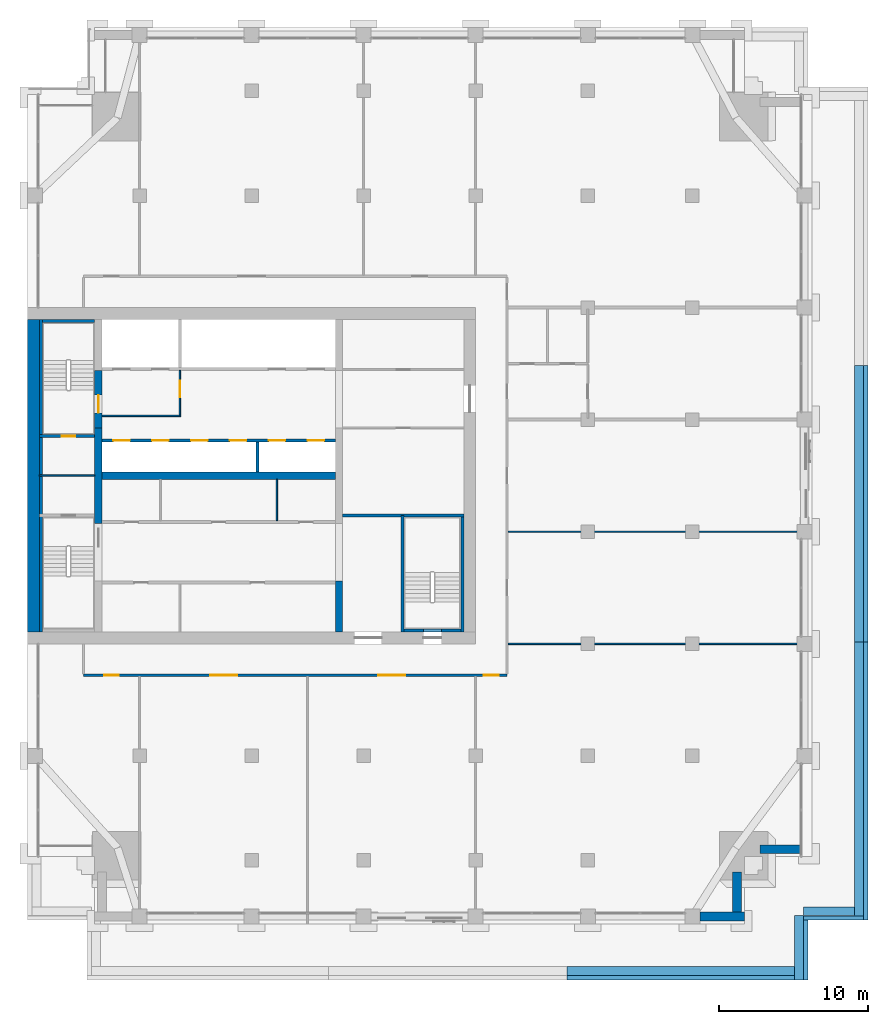
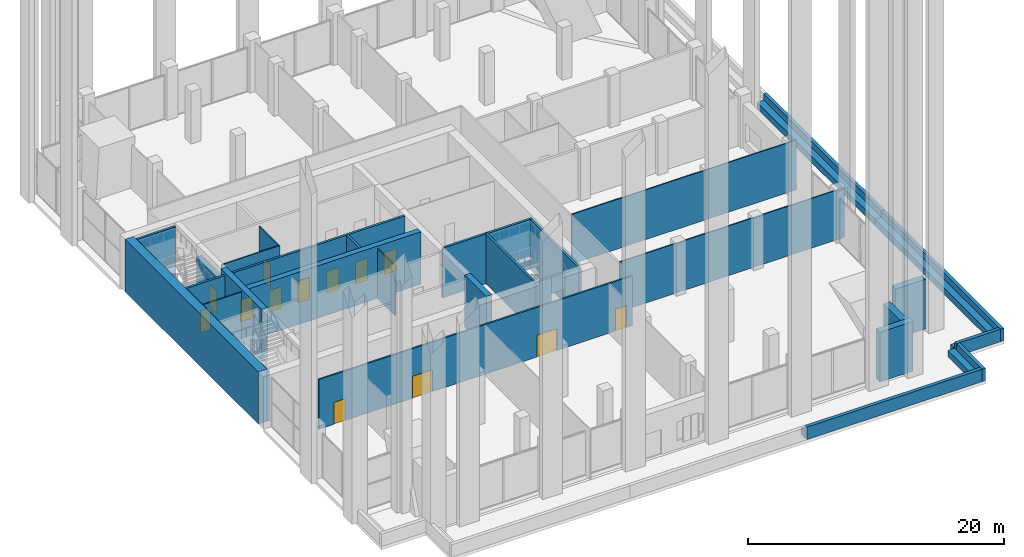
# One storey, part 11 of 19: 36 walls, 13 doors, 13 openings.
"""IFC4 building model written with IfcOpenShell, lengths in metres."""

from ifc_helpers import new_model, si_unit, direction, frame, frame_2d, origin, place, context, subcontext, project, spatial, rectangle, extrude, material, layer, layer_set, type_object, element, fill, save


model = new_model("IFC4")

# Units and contexts
model_context = context("Model", 3, precision=1e-05, world=origin(), true_north=direction((0.0, 1.0)))
body_context = subcontext(model_context, "Body", "Model", "MODEL_VIEW")
ifc_project = project(units=[si_unit("LENGTHUNIT", "METRE"), si_unit("AREAUNIT", "SQUARE_METRE"), si_unit("VOLUMEUNIT", "CUBIC_METRE"), si_unit("PLANEANGLEUNIT", "RADIAN"), si_unit("MASSUNIT", "GRAM", prefix="KILO")], contexts=[model_context])

# Site, building, storey
site_placement = place(None, origin())
site = spatial("IfcSite", under=ifc_project, at=site_placement, CompositionType="ELEMENT")
building_placement = place(site_placement, origin())
building = spatial("IfcBuilding", under=site, at=building_placement, Name="Tamorin Gate", CompositionType="ELEMENT")
storey_placement = place(building_placement, frame((0.0, 0.0, 174.199951171875)))
storey = spatial("IfcBuildingStorey", under=building, at=storey_placement, Name="L42", CompositionType="ELEMENT", Elevation=174.199951171875)

# Walls
ifc_material_1 = material(Name="Precast concrete C40/50", Category="concrete")
ifc_layer_1 = layer(ifc_material_1, 0.60009765625)
ifc_layer_set_1 = layer_set([ifc_layer_1], Name="Precast concrete C40/50")
wall_type_1 = type_object("IfcWallType", Name="Board-marked concrete facade panel 600", PredefinedType="SOLIDWALL", material=ifc_layer_set_1)
wall_1_placement = place(storey_placement, frame((75.0, 41.75, 0.0), z_axis=(0.0, 0.0, 1.0), x_axis=(1.0, 0.0, 0.0)))
element("IfcWall", 1, at=wall_1_placement, inside=storey, type_object=wall_type_1, Name="Facade panel", PredefinedType="SOLIDWALL", context=body_context, shape_type="SweptSolid", body=[
    extrude(rectangle(XDim=3.0, YDim=0.60009765625, at=frame_2d((1.5, 0.0))), origin(), (0.0, 0.0, 1.0), 4.75),
])
wall_2_placement = place(storey_placement, frame((77.5, 42.050048828125, 0.0), z_axis=(0.0, 0.0, 1.0), x_axis=(0.0, 1.0, 0.0)))
element("IfcWall", 2, at=wall_2_placement, inside=storey, type_object=wall_type_1, Name="Facade panel", PredefinedType="SOLIDWALL", context=body_context, shape_type="SweptSolid", body=[
    extrude(rectangle(XDim=2.668701171875, YDim=0.60009765625, at=frame_2d((1.33447265625, 0.0))), origin(), (0.0, 0.0, 1.0), 4.75),
])
wall_3_placement = place(storey_placement, frame((79.03125, 46.25, 0.0), z_axis=(0.0, 0.0, 1.0), x_axis=(1.0, 0.0, 0.0)))
element("IfcWall", 3, at=wall_3_placement, inside=storey, type_object=wall_type_1, Name="Facade panel", PredefinedType="SOLIDWALL", context=body_context, shape_type="SweptSolid", body=[
    extrude(rectangle(XDim=2.73486328125, YDim=0.60009765625, at=frame_2d((1.367431640625, 0.0))), origin(), (0.0, 0.0, 1.0), 4.75),
])

# Wall, openings, doors
ifc_material_2 = material(Name="Gypsum board partition")
ifc_layer_2 = layer(ifc_material_2, 0.14990234375)
ifc_layer_set_2 = layer_set([ifc_layer_2], Name="Corridor wall 150")
wall_type_2 = type_object("IfcWallType", Name="Corridor wall 150", PredefinedType="PARTITIONING", material=ifc_layer_set_2)
wall_4_placement = place(storey_placement, frame((33.75, 57.89990234375, 0.0), z_axis=(0.0, 0.0, 1.0), x_axis=(1.0, 0.0, 0.0)))
wall_4 = element("IfcWall", 4, at=wall_4_placement, inside=storey, type_object=wall_type_2, Name="Corridor wall 150", PredefinedType="PARTITIONING", context=body_context, shape_type="SweptSolid", body=[
    extrude(rectangle(XDim=28.35009765625, YDim=0.14990234375, at=frame_2d((14.175048828125, 0.0))), origin(), (0.0, 0.0, 1.0), 4.75),
])
opening_1_placement = place(wall_4_placement, frame((1.375, 0.0, 0.0)))
opening_1 = element("IfcOpeningElement", 5, at=opening_1_placement, cuts=wall_4, Name="Opening DRS1001", PredefinedType="OPENING", context=body_context, shape_type="SweptSolid", body=[
    extrude(rectangle(XDim=1.0, YDim=2.10009765625, at=frame_2d((0.5, 1.050048828125))), frame((0.0, 0.0849609375, 0.0), z_axis=(0.0, -1.0, 0.0), x_axis=(1.0, 0.0, 0.0)), (0.0, 0.0, 1.0), 0.169921875),
])
opening_2_placement = place(wall_4_placement, frame((8.47509765625, 0.0, 0.0)))
opening_2 = element("IfcOpeningElement", 6, at=opening_2_placement, cuts=wall_4, Name="Opening DRS1002", PredefinedType="OPENING", context=body_context, shape_type="SweptSolid", body=[
    extrude(rectangle(XDim=1.800048828125, YDim=2.10009765625, at=frame_2d((0.89990234375, 1.050048828125))), frame((0.0, 0.0849609375, 0.0), z_axis=(0.0, -1.0, 0.0), x_axis=(1.0, 0.0, 0.0)), (0.0, 0.0, 1.0), 0.169921875),
])
opening_3_placement = place(wall_4_placement, frame((19.72509765625, 0.0, 0.0)))
opening_3 = element("IfcOpeningElement", 7, at=opening_3_placement, cuts=wall_4, Name="Opening DRS1003", PredefinedType="OPENING", context=body_context, shape_type="SweptSolid", body=[
    extrude(rectangle(XDim=1.800048828125, YDim=2.10009765625, at=frame_2d((0.89990234375, 1.050048828125))), frame((0.0, 0.0849609375, 0.0), z_axis=(0.0, -1.0, 0.0), x_axis=(1.0, 0.0, 0.0)), (0.0, 0.0, 1.0), 0.169921875),
])
opening_4_placement = place(wall_4_placement, frame((26.800048828125, 0.0, 0.0)))
opening_4 = element("IfcOpeningElement", 8, at=opening_4_placement, cuts=wall_4, Name="Opening DRS1004", PredefinedType="OPENING", context=body_context, shape_type="SweptSolid", body=[
    extrude(rectangle(XDim=1.0, YDim=2.10009765625, at=frame_2d((0.5, 1.050048828125))), frame((0.0, 0.0849609375, 0.0), z_axis=(0.0, -1.0, 0.0), x_axis=(1.0, 0.0, 0.0)), (0.0, 0.0, 1.0), 0.169921875),
])
ifc_material_3 = material(Name="Timber door leaf", Category="wood")
door_type_1 = type_object("IfcDoorType", Name="Door 1000 x 2100 FD30S", OperationType="NOTDEFINED", PredefinedType="DOOR", material=ifc_material_3)
door_1_placement = place(opening_1_placement, origin())
door_1 = element("IfcDoor", 9, at=door_1_placement, inside=storey, type_object=door_type_1, Name="Door DRS1001", OperationType="SINGLE_SWING_RIGHT", OverallHeight=2.10009765625, OverallWidth=1.0, PredefinedType="DOOR", context=body_context, shape_type="SweptSolid", body=[
    extrude(rectangle(XDim=1.0, YDim=2.10009765625, at=frame_2d((0.5, 1.050048828125))), frame((0.0, 0.02490234375, 0.0), z_axis=(0.0, -1.0, 0.0), x_axis=(1.0, 0.0, 0.0)), (0.0, 0.0, 1.0), 0.050048828125),
])
fill(opening_1, door_1)
door_2_placement = place(opening_4_placement, origin())
door_2 = element("IfcDoor", 10, at=door_2_placement, inside=storey, type_object=door_type_1, Name="Door DRS1004", OperationType="SINGLE_SWING_RIGHT", OverallHeight=2.10009765625, OverallWidth=1.0, PredefinedType="DOOR", context=body_context, shape_type="SweptSolid", body=[
    extrude(rectangle(XDim=1.0, YDim=2.10009765625, at=frame_2d((0.5, 1.050048828125))), frame((0.0, 0.02490234375, 0.0), z_axis=(0.0, -1.0, 0.0), x_axis=(1.0, 0.0, 0.0)), (0.0, 0.0, 1.0), 0.050048828125),
])
fill(opening_4, door_2)
door_type_2 = type_object("IfcDoorType", Name="Door 1800 x 2100 FD30S", OperationType="DOUBLE_DOOR_SINGLE_SWING", PredefinedType="DOOR", material=ifc_material_3)
door_3_placement = place(opening_2_placement, origin())
door_3 = element("IfcDoor", 11, at=door_3_placement, inside=storey, type_object=door_type_2, Name="Door DRS1002", OperationType="DOUBLE_DOOR_SINGLE_SWING", OverallHeight=2.10009765625, OverallWidth=1.800048828125, PredefinedType="DOOR", context=body_context, shape_type="SweptSolid", body=[
    extrude(rectangle(XDim=1.800048828125, YDim=2.10009765625, at=frame_2d((0.89990234375, 1.050048828125))), frame((0.0, 0.02490234375, 0.0), z_axis=(0.0, -1.0, 0.0), x_axis=(1.0, 0.0, 0.0)), (0.0, 0.0, 1.0), 0.050048828125),
])
fill(opening_2, door_3)
door_4_placement = place(opening_3_placement, origin())
door_4 = element("IfcDoor", 12, at=door_4_placement, inside=storey, type_object=door_type_2, Name="Door DRS1003", OperationType="DOUBLE_DOOR_SINGLE_SWING", OverallHeight=2.10009765625, OverallWidth=1.800048828125, PredefinedType="DOOR", context=body_context, shape_type="SweptSolid", body=[
    extrude(rectangle(XDim=1.800048828125, YDim=2.10009765625, at=frame_2d((0.89990234375, 1.050048828125))), frame((0.0, 0.02490234375, 0.0), z_axis=(0.0, -1.0, 0.0), x_axis=(1.0, 0.0, 0.0)), (0.0, 0.0, 1.0), 0.050048828125),
])
fill(opening_3, door_4)

ifc_material_4 = material(Name="Concrete C32/40", Category="concrete")
ifc_layer_3 = layer(ifc_material_4, 0.199951171875)
ifc_layer_set_3 = layer_set([ifc_layer_3], Name="Lift lobby face wall 200 EI 120")
wall_type_3 = type_object("IfcWallType", Name="Lift lobby face wall 200 EI 120", PredefinedType="SOLIDWALL", material=ifc_layer_set_3)
wall_5_placement = place(storey_placement, frame((35.0, 73.60009765625, 0.0), z_axis=(0.0, 0.0, 1.0), x_axis=(1.0, 0.0, 0.0)))
wall_5 = element("IfcWall", 13, at=wall_5_placement, inside=storey, type_object=wall_type_3, Name="Lift lobby face wall", PredefinedType="SOLIDWALL", context=body_context, shape_type="SweptSolid", body=[
    extrude(rectangle(XDim=15.60009765625, YDim=0.199951171875, at=frame_2d((7.800048828125, 0.0))), origin(), (0.0, 0.0, 1.0), 5.0),
])
opening_5_placement = place(wall_5_placement, frame((0.75, 0.0, 0.0)))
opening_5 = element("IfcOpeningElement", 14, at=opening_5_placement, cuts=wall_5, Name="Opening LD11", PredefinedType="OPENING", context=body_context, shape_type="SweptSolid", body=[
    extrude(rectangle(XDim=1.10009765625, YDim=2.10009765625, at=frame_2d((0.550048828125, 1.050048828125))), frame((0.0, 0.10986328125, 0.0), z_axis=(0.0, -1.0, 0.0), x_axis=(1.0, 0.0, 0.0)), (0.0, 0.0, 1.0), 0.219970703125),
])
opening_6_placement = place(wall_5_placement, frame((3.35009765625, 0.0, 0.0)))
opening_6 = element("IfcOpeningElement", 15, at=opening_6_placement, cuts=wall_5, Name="Opening LD12", PredefinedType="OPENING", context=body_context, shape_type="SweptSolid", body=[
    extrude(rectangle(XDim=1.10009765625, YDim=2.10009765625, at=frame_2d((0.550048828125, 1.050048828125))), frame((0.0, 0.10986328125, 0.0), z_axis=(0.0, -1.0, 0.0), x_axis=(1.0, 0.0, 0.0)), (0.0, 0.0, 1.0), 0.219970703125),
])
opening_7_placement = place(wall_5_placement, frame((5.949951171875, 0.0, 0.0)))
opening_7 = element("IfcOpeningElement", 16, at=opening_7_placement, cuts=wall_5, Name="Opening LD13", PredefinedType="OPENING", context=body_context, shape_type="SweptSolid", body=[
    extrude(rectangle(XDim=1.10009765625, YDim=2.10009765625, at=frame_2d((0.550048828125, 1.050048828125))), frame((0.0, 0.10986328125, 0.0), z_axis=(0.0, -1.0, 0.0), x_axis=(1.0, 0.0, 0.0)), (0.0, 0.0, 1.0), 0.219970703125),
])
opening_8_placement = place(wall_5_placement, frame((8.550048828125, 0.0, 0.0)))
opening_8 = element("IfcOpeningElement", 17, at=opening_8_placement, cuts=wall_5, Name="Opening LD14", PredefinedType="OPENING", context=body_context, shape_type="SweptSolid", body=[
    extrude(rectangle(XDim=1.10009765625, YDim=2.10009765625, at=frame_2d((0.550048828125, 1.050048828125))), frame((0.0, 0.10986328125, 0.0), z_axis=(0.0, -1.0, 0.0), x_axis=(1.0, 0.0, 0.0)), (0.0, 0.0, 1.0), 0.219970703125),
])
opening_9_placement = place(wall_5_placement, frame((11.14990234375, 0.0, 0.0)))
opening_9 = element("IfcOpeningElement", 18, at=opening_9_placement, cuts=wall_5, Name="Opening LD15", PredefinedType="OPENING", context=body_context, shape_type="SweptSolid", body=[
    extrude(rectangle(XDim=1.10009765625, YDim=2.10009765625, at=frame_2d((0.550048828125, 1.050048828125))), frame((0.0, 0.10986328125, 0.0), z_axis=(0.0, -1.0, 0.0), x_axis=(1.0, 0.0, 0.0)), (0.0, 0.0, 1.0), 0.219970703125),
])
opening_10_placement = place(wall_5_placement, frame((13.75, 0.0, 0.0)))
opening_10 = element("IfcOpeningElement", 19, at=opening_10_placement, cuts=wall_5, Name="Opening LD16", PredefinedType="OPENING", context=body_context, shape_type="SweptSolid", body=[
    extrude(rectangle(XDim=1.10009765625, YDim=2.10009765625, at=frame_2d((0.550048828125, 1.050048828125))), frame((0.0, 0.10986328125, 0.0), z_axis=(0.0, -1.0, 0.0), x_axis=(1.0, 0.0, 0.0)), (0.0, 0.0, 1.0), 0.219970703125),
])
ifc_material_5 = material(Name="Stainless steel sliding door", Category="steel")
door_type_3 = type_object("IfcDoorType", Name="Lift landing door 1100 x 2100 E 90", OperationType="DOUBLE_DOOR_SLIDING", PredefinedType="DOOR", material=ifc_material_5)
door_5_placement = place(opening_5_placement, origin())
door_5 = element("IfcDoor", 20, at=door_5_placement, inside=storey, type_object=door_type_3, Name="HR1 landing door", OperationType="DOUBLE_DOOR_SLIDING", OverallHeight=2.10009765625, OverallWidth=1.10009765625, PredefinedType="DOOR", context=body_context, shape_type="SweptSolid", body=[
    extrude(rectangle(XDim=1.10009765625, YDim=2.10009765625, at=frame_2d((0.550048828125, 1.050048828125))), frame((0.0, 0.02490234375, 0.0), z_axis=(0.0, -1.0, 0.0), x_axis=(1.0, 0.0, 0.0)), (0.0, 0.0, 1.0), 0.050048828125),
])
fill(opening_5, door_5)
door_6_placement = place(opening_6_placement, origin())
door_6 = element("IfcDoor", 21, at=door_6_placement, inside=storey, type_object=door_type_3, Name="HR2 landing door", OperationType="DOUBLE_DOOR_SLIDING", OverallHeight=2.10009765625, OverallWidth=1.10009765625, PredefinedType="DOOR", context=body_context, shape_type="SweptSolid", body=[
    extrude(rectangle(XDim=1.10009765625, YDim=2.10009765625, at=frame_2d((0.550048828125, 1.050048828125))), frame((0.0, 0.02490234375, 0.0), z_axis=(0.0, -1.0, 0.0), x_axis=(1.0, 0.0, 0.0)), (0.0, 0.0, 1.0), 0.050048828125),
])
fill(opening_6, door_6)
door_7_placement = place(opening_7_placement, origin())
door_7 = element("IfcDoor", 22, at=door_7_placement, inside=storey, type_object=door_type_3, Name="HR3 landing door", OperationType="DOUBLE_DOOR_SLIDING", OverallHeight=2.10009765625, OverallWidth=1.10009765625, PredefinedType="DOOR", context=body_context, shape_type="SweptSolid", body=[
    extrude(rectangle(XDim=1.10009765625, YDim=2.10009765625, at=frame_2d((0.550048828125, 1.050048828125))), frame((0.0, 0.02490234375, 0.0), z_axis=(0.0, -1.0, 0.0), x_axis=(1.0, 0.0, 0.0)), (0.0, 0.0, 1.0), 0.050048828125),
])
fill(opening_7, door_7)
door_8_placement = place(opening_8_placement, origin())
door_8 = element("IfcDoor", 23, at=door_8_placement, inside=storey, type_object=door_type_3, Name="HR4 landing door", OperationType="DOUBLE_DOOR_SLIDING", OverallHeight=2.10009765625, OverallWidth=1.10009765625, PredefinedType="DOOR", context=body_context, shape_type="SweptSolid", body=[
    extrude(rectangle(XDim=1.10009765625, YDim=2.10009765625, at=frame_2d((0.550048828125, 1.050048828125))), frame((0.0, 0.02490234375, 0.0), z_axis=(0.0, -1.0, 0.0), x_axis=(1.0, 0.0, 0.0)), (0.0, 0.0, 1.0), 0.050048828125),
])
fill(opening_8, door_8)
door_9_placement = place(opening_9_placement, origin())
door_9 = element("IfcDoor", 24, at=door_9_placement, inside=storey, type_object=door_type_3, Name="HR5 landing door", OperationType="DOUBLE_DOOR_SLIDING", OverallHeight=2.10009765625, OverallWidth=1.10009765625, PredefinedType="DOOR", context=body_context, shape_type="SweptSolid", body=[
    extrude(rectangle(XDim=1.10009765625, YDim=2.10009765625, at=frame_2d((0.550048828125, 1.050048828125))), frame((0.0, 0.02490234375, 0.0), z_axis=(0.0, -1.0, 0.0), x_axis=(1.0, 0.0, 0.0)), (0.0, 0.0, 1.0), 0.050048828125),
])
fill(opening_9, door_9)
door_10_placement = place(opening_10_placement, origin())
door_10 = element("IfcDoor", 25, at=door_10_placement, inside=storey, type_object=door_type_3, Name="HR6 landing door", OperationType="DOUBLE_DOOR_SLIDING", OverallHeight=2.10009765625, OverallWidth=1.10009765625, PredefinedType="DOOR", context=body_context, shape_type="SweptSolid", body=[
    extrude(rectangle(XDim=1.10009765625, YDim=2.10009765625, at=frame_2d((0.550048828125, 1.050048828125))), frame((0.0, 0.02490234375, 0.0), z_axis=(0.0, -1.0, 0.0), x_axis=(1.0, 0.0, 0.0)), (0.0, 0.0, 1.0), 0.050048828125),
])
fill(opening_10, door_10)

# Walls
ifc_layer_4 = layer(ifc_material_4, 0.199951171875)
ifc_layer_set_4 = layer_set([ifc_layer_4], Name="Lift shaft wall 200 EI 120")
wall_type_4 = type_object("IfcWallType", Name="Lift shaft wall 200 EI 120", PredefinedType="SOLIDWALL", material=ifc_layer_set_4)
wall_6_placement = place(storey_placement, frame((45.39990234375, 71.5, 0.0), z_axis=(0.0, 0.0, 1.0), x_axis=(0.0, 1.0, 0.0)))
element("IfcWall", 26, at=wall_6_placement, inside=storey, type_object=wall_type_4, Name="Lift shaft wall", PredefinedType="SOLIDWALL", context=body_context, shape_type="SweptSolid", body=[
    extrude(rectangle(XDim=2.0, YDim=0.199951171875, at=frame_2d((1.0, 0.0))), origin(), (0.0, 0.0, 1.0), 5.0),
])
ifc_material_6 = material(Name="Fire-rated gypsum board partition")
ifc_layer_5 = layer(ifc_material_6, 0.10009765625)
ifc_layer_set_5 = layer_set([ifc_layer_5], Name="Lobby wall 100 EI 60")
wall_type_5 = type_object("IfcWallType", Name="Lobby wall 100 EI 60", PredefinedType="PARTITIONING", material=ifc_layer_set_5)
wall_7_placement = place(storey_placement, frame((35.0, 75.25, 0.0), z_axis=(0.0, 0.0, 1.0), x_axis=(1.0, 0.0, 0.0)))
element("IfcWall", 27, at=wall_7_placement, inside=storey, type_object=wall_type_5, Name="Firefighting lobby wall", PredefinedType="PARTITIONING", context=body_context, shape_type="SweptSolid", body=[
    extrude(rectangle(XDim=5.25, YDim=0.10009765625, at=frame_2d((2.625, 0.0))), origin(), (0.0, 0.0, 1.0), 4.75),
])

# Wall, opening, door
wall_8_placement = place(storey_placement, frame((40.199951171875, 75.300048828125, 0.0), z_axis=(0.0, 0.0, 1.0), x_axis=(0.0, 1.0, 0.0)))
wall_8 = element("IfcWall", 28, at=wall_8_placement, inside=storey, type_object=wall_type_5, Name="Firefighting lobby wall", PredefinedType="PARTITIONING", context=body_context, shape_type="SweptSolid", body=[
    extrude(rectangle(XDim=3.0, YDim=0.10009765625, at=frame_2d((1.5, 0.0))), origin(), (0.0, 0.0, 1.0), 4.75),
])
opening_11_placement = place(wall_8_placement, frame((1.199951171875, 0.0, 0.0)))
opening_11 = element("IfcOpeningElement", 29, at=opening_11_placement, cuts=wall_8, Name="Opening DF1", PredefinedType="OPENING", context=body_context, shape_type="SweptSolid", body=[
    extrude(rectangle(XDim=1.10009765625, YDim=2.10009765625, at=frame_2d((0.550048828125, 1.050048828125))), frame((0.0, 0.06005859375, 0.0), z_axis=(0.0, -1.0, 0.0), x_axis=(1.0, 0.0, 0.0)), (0.0, 0.0, 1.0), 0.1201171875),
])
ifc_material_7 = material(Name="Steel fire door", Category="steel")
door_type_4 = type_object("IfcDoorType", Name="Firefighting lobby door 1100 x 2100 EI 90", OperationType="SINGLE_SWING_LEFT", PredefinedType="DOOR", material=ifc_material_7)
door_11_placement = place(opening_11_placement, origin())
door_11 = element("IfcDoor", 30, at=door_11_placement, inside=storey, type_object=door_type_4, Name="Firefighting lobby door", OperationType="SINGLE_SWING_LEFT", OverallHeight=2.10009765625, OverallWidth=1.10009765625, PredefinedType="DOOR", context=body_context, shape_type="SweptSolid", body=[
    extrude(rectangle(XDim=1.10009765625, YDim=2.10009765625, at=frame_2d((0.550048828125, 1.050048828125))), frame((0.0, 0.02490234375, 0.0), z_axis=(0.0, -1.0, 0.0), x_axis=(1.0, 0.0, 0.0)), (0.0, 0.0, 1.0), 0.050048828125),
])
fill(opening_11, door_11)

# Walls
ifc_material_8 = material(Name="Concrete C60/75", Category="concrete")
ifc_layer_6 = layer(ifc_material_8, 0.5)
ifc_layer_set_6 = layer_set([ifc_layer_6], Name="RC core internal wall 500 C60/75")
wall_type_6 = type_object("IfcWallType", Name="RC core internal wall 500 C60/75", PredefinedType="SHEAR", material=ifc_layer_set_6)
wall_9_placement = place(storey_placement, frame((35.0, 71.25, 0.0), z_axis=(0.0, 0.0, 1.0), x_axis=(1.0, 0.0, 0.0)))
element("IfcWall", 31, at=wall_9_placement, inside=storey, type_object=wall_type_6, Name="Core spine wall L42", PredefinedType="SHEAR", context=body_context, shape_type="SweptSolid", body=[
    extrude(rectangle(XDim=15.60009765625, YDim=0.5, at=frame_2d((7.800048828125, 0.0))), origin(), (0.0, 0.0, 1.0), 5.0),
])
wall_10_placement = place(storey_placement, frame((34.75, 68.050048828125, 0.0), z_axis=(0.0, 0.0, 1.0), x_axis=(0.0, 1.0, 0.0)))
element("IfcWall", 32, at=wall_10_placement, inside=storey, type_object=wall_type_6, Name="Core cross wall L42", PredefinedType="SHEAR", context=body_context, shape_type="SweptSolid", body=[
    extrude(rectangle(XDim=6.39990234375, YDim=0.5, at=frame_2d((3.199951171875, 0.0))), origin(), (0.0, 0.0, 1.0), 5.0),
])
wall_11_placement = place(storey_placement, frame((50.85009765625, 60.800048828125, 0.0), z_axis=(0.0, 0.0, 1.0), x_axis=(0.0, 1.0, 0.0)))
element("IfcWall", 33, at=wall_11_placement, inside=storey, type_object=wall_type_6, Name="Core cross wall L42", PredefinedType="SHEAR", context=body_context, shape_type="SweptSolid", body=[
    extrude(rectangle(XDim=3.39990234375, YDim=0.5, at=frame_2d((1.699951171875, 0.0))), origin(), (0.0, 0.0, 1.0), 5.0),
])
ifc_layer_7 = layer(ifc_material_8, 0.800048828125)
ifc_layer_set_7 = layer_set([ifc_layer_7], Name="RC core wall 800 C60/75")
wall_type_7 = type_object("IfcWallType", Name="RC core wall 800 C60/75", PredefinedType="SHEAR", material=ifc_layer_set_7)
wall_12_placement = place(storey_placement, frame((30.39990234375, 60.800048828125, 0.0), z_axis=(0.0, 0.0, 1.0), x_axis=(0.0, 1.0, 0.0)))
element("IfcWall", 34, at=wall_12_placement, inside=storey, type_object=wall_type_7, Name="Core wall L42", PredefinedType="SHEAR", context=body_context, shape_type="SweptSolid", body=[
    extrude(rectangle(XDim=20.89990234375, YDim=0.800048828125, at=frame_2d((10.449951171875, 0.0))), origin(), (0.0, 0.0, 1.0), 5.0),
])
ifc_layer_8 = layer(ifc_material_6, 0.10009765625)
ifc_layer_set_8 = layer_set([ifc_layer_8], Name="Riser partition 100 EI 120")
wall_type_8 = type_object("IfcWallType", Name="Riser partition 100 EI 120", PredefinedType="PARTITIONING", material=ifc_layer_set_8)
wall_13_placement = place(storey_placement, frame((30.800048828125, 71.25, 0.0), z_axis=(0.0, 0.0, 1.0), x_axis=(1.0, 0.0, 0.0)))
element("IfcWall", 35, at=wall_13_placement, inside=storey, type_object=wall_type_8, Name="Riser partition", PredefinedType="PARTITIONING", context=body_context, shape_type="SweptSolid", body=[
    extrude(rectangle(XDim=3.699951171875, YDim=0.10009765625, at=frame_2d((1.85009765625, 0.0))), origin(), (0.0, 0.0, 1.0), 4.75),
])
ifc_layer_9 = layer(ifc_material_2, 0.10009765625)
ifc_layer_set_9 = layer_set([ifc_layer_9], Name="Room partition 100")
wall_type_9 = type_object("IfcWallType", Name="Room partition 100", PredefinedType="PARTITIONING", material=ifc_layer_set_9)
for number, where, z_axis, x_axis, name in (
    (36, (62.175048828125, 60.0, 0.0), (0.0, 0.0, 1.0), (1.0, 0.0, 0.0), "Room partition 100"),
    (37, (62.175048828125, 67.5, 0.0), (0.0, 0.0, 1.0), (1.0, 0.0, 0.0), "Room partition 100"),
):
    element("IfcWall", number, at=place(storey_placement, frame(where, z_axis=z_axis, x_axis=x_axis)), inside=storey, type_object=wall_type_9, Name=name, PredefinedType="PARTITIONING", context=body_context, shape_type="SweptSolid", body=[
        extrude(rectangle(XDim=20.324951171875, YDim=0.10009765625, at=frame_2d((10.16259765625, 0.0))), origin(), (0.0, 0.0, 1.0), 4.75),
    ])
ifc_layer_10 = layer(ifc_material_2, 0.10009765625)
ifc_layer_set_10 = layer_set([ifc_layer_10], Name="Service room partition 100 EI 60")
wall_type_10 = type_object("IfcWallType", Name="Service room partition 100 EI 60", PredefinedType="PARTITIONING", material=ifc_layer_set_10)
wall_14_placement = place(storey_placement, frame((46.699951171875, 68.25, 0.0), z_axis=(0.0, 0.0, 1.0), x_axis=(0.0, 1.0, 0.0)))
element("IfcWall", 38, at=wall_14_placement, inside=storey, type_object=wall_type_10, Name="Service room partition", PredefinedType="PARTITIONING", context=body_context, shape_type="SweptSolid", body=[
    extrude(rectangle(XDim=2.75, YDim=0.10009765625, at=frame_2d((1.375, 0.0))), origin(), (0.0, 0.0, 1.0), 4.75),
])

# Wall, opening, door
ifc_material_9 = material(Name="Concrete C40/50", Category="concrete")
ifc_layer_11 = layer(ifc_material_9, 0.199951171875)
ifc_layer_set_11 = layer_set([ifc_layer_11], Name="Stair enclosure wall 200 EI 120 C40/50")
wall_type_11 = type_object("IfcWallType", Name="Stair enclosure wall 200 EI 120 C40/50", PredefinedType="SOLIDWALL", material=ifc_layer_set_11)
wall_15_placement = place(storey_placement, frame((30.800048828125, 73.89990234375, 0.0), z_axis=(0.0, 0.0, 1.0), x_axis=(1.0, 0.0, 0.0)))
wall_15 = element("IfcWall", 39, at=wall_15_placement, inside=storey, type_object=wall_type_11, Name="Stair enclosure wall", PredefinedType="SOLIDWALL", context=body_context, shape_type="SweptSolid", body=[
    extrude(rectangle(XDim=3.699951171875, YDim=0.199951171875, at=frame_2d((1.85009765625, 0.0))), origin(), (0.0, 0.0, 1.0), 4.75),
])
opening_12_placement = place(wall_15_placement, frame((1.5, 0.0, 0.0)))
opening_12 = element("IfcOpeningElement", 40, at=opening_12_placement, cuts=wall_15, Name="Opening DR1", PredefinedType="OPENING", context=body_context, shape_type="SweptSolid", body=[
    extrude(rectangle(XDim=0.89990234375, YDim=2.10009765625, at=frame_2d((0.449951171875, 1.050048828125))), frame((0.0, 0.10986328125, 0.0), z_axis=(0.0, -1.0, 0.0), x_axis=(1.0, 0.0, 0.0)), (0.0, 0.0, 1.0), 0.219970703125),
])
door_type_5 = type_object("IfcDoorType", Name="Riser access door 900 x 2100 EI 120", OperationType="SINGLE_SWING_LEFT", PredefinedType="DOOR", material=ifc_material_7)
door_12_placement = place(opening_12_placement, origin())
door_12 = element("IfcDoor", 41, at=door_12_placement, inside=storey, type_object=door_type_5, Name="Communications riser door", OperationType="SINGLE_SWING_RIGHT", OverallHeight=2.10009765625, OverallWidth=0.89990234375, PredefinedType="DOOR", context=body_context, shape_type="SweptSolid", body=[
    extrude(rectangle(XDim=0.89990234375, YDim=2.10009765625, at=frame_2d((0.449951171875, 1.050048828125))), frame((0.0, 0.02490234375, 0.0), z_axis=(0.0, -1.0, 0.0), x_axis=(1.0, 0.0, 0.0)), (0.0, 0.0, 1.0), 0.050048828125),
])
fill(opening_12, door_12)

# Walls
wall_16_placement = place(storey_placement, frame((55.10009765625, 60.800048828125, 0.0), z_axis=(0.0, 0.0, 1.0), x_axis=(0.0, 1.0, 0.0)))
element("IfcWall", 42, at=wall_16_placement, inside=storey, type_object=wall_type_11, Name="Stair enclosure wall", PredefinedType="SOLIDWALL", context=body_context, shape_type="SweptSolid", body=[
    extrude(rectangle(XDim=7.800048828125, YDim=0.199951171875, at=frame_2d((3.89990234375, 0.0))), origin(), (0.0, 0.0, 1.0), 4.75),
])
wall_17_placement = place(storey_placement, frame((51.10009765625, 68.60009765625, 0.0), z_axis=(0.0, 0.0, 1.0), x_axis=(1.0, 0.0, 0.0)))
element("IfcWall", 43, at=wall_17_placement, inside=storey, type_object=wall_type_11, Name="Stair enclosure wall", PredefinedType="SOLIDWALL", context=body_context, shape_type="SweptSolid", body=[
    extrude(rectangle(XDim=8.099853515625, YDim=0.199951171875, at=frame_2d((4.0498046875, 0.0))), origin(), (0.0, 0.0, 1.0), 4.75),
])
ifc_layer_12 = layer(ifc_material_8, 0.199951171875)
ifc_layer_set_12 = layer_set([ifc_layer_12], Name="Stair lining wall 200 EI 120 C60/75")
wall_type_12 = type_object("IfcWallType", Name="Stair lining wall 200 EI 120 C60/75", PredefinedType="SOLIDWALL", material=ifc_layer_set_12)
wall_18_placement = place(storey_placement, frame((30.89990234375, 60.800048828125, 0.0), z_axis=(0.0, 0.0, 1.0), x_axis=(0.0, 1.0, 0.0)))
element("IfcWall", 44, at=wall_18_placement, inside=storey, type_object=wall_type_12, Name="Stair lining wall", PredefinedType="SOLIDWALL", context=body_context, shape_type="SweptSolid", body=[
    extrude(rectangle(XDim=20.89990234375, YDim=0.199951171875, at=frame_2d((10.449951171875, 0.0))), origin(), (0.0, 0.0, 1.0), 4.75),
])
wall_19_placement = place(storey_placement, frame((31.0, 81.60009765625, 0.0), z_axis=(0.0, 0.0, 1.0), x_axis=(1.0, 0.0, 0.0)))
element("IfcWall", 45, at=wall_19_placement, inside=storey, type_object=wall_type_12, Name="Stair lining wall", PredefinedType="SOLIDWALL", context=body_context, shape_type="SweptSolid", body=[
    extrude(rectangle(XDim=3.5, YDim=0.199951171875, at=frame_2d((1.75, 0.0))), origin(), (0.0, 0.0, 1.0), 4.75),
])
for number, where, z_axis, x_axis, name in (
    (46, (55.199951171875, 60.89990234375, 0.0), (0.0, 0.0, 1.0), (1.0, 0.0, 0.0), "Stair lining wall"),
    (47, (57.699951171875, 60.89990234375, 0.0), (0.0, 0.0, 1.0), (1.0, 0.0, 0.0), "Stair lining wall"),
):
    element("IfcWall", number, at=place(storey_placement, frame(where, z_axis=z_axis, x_axis=x_axis)), inside=storey, type_object=wall_type_12, Name=name, PredefinedType="SOLIDWALL", context=body_context, shape_type="SweptSolid", body=[
        extrude(rectangle(XDim=1.300048828125, YDim=0.199951171875, at=frame_2d((0.64990234375, 0.0))), origin(), (0.0, 0.0, 1.0), 4.75),
    ])
wall_20_placement = place(storey_placement, frame((59.10009765625, 60.800048828125, 0.0), z_axis=(0.0, 0.0, 1.0), x_axis=(0.0, 1.0, 0.0)))
element("IfcWall", 48, at=wall_20_placement, inside=storey, type_object=wall_type_12, Name="Stair lining wall", PredefinedType="SOLIDWALL", context=body_context, shape_type="SweptSolid", body=[
    extrude(rectangle(XDim=7.699951171875, YDim=0.199951171875, at=frame_2d((3.85009765625, 0.0))), origin(), (0.0, 0.0, 1.0), 4.75),
])
wall_21_placement = place(storey_placement, frame((56.5, 60.89990234375, 3.199951171875), z_axis=(0.0, 0.0, 1.0), x_axis=(1.0, 0.0, 0.0)))
element("IfcWall", 49, at=wall_21_placement, inside=storey, type_object=wall_type_12, Name="Stair lining wall", PredefinedType="SOLIDWALL", context=body_context, shape_type="SweptSolid", body=[
    extrude(rectangle(XDim=1.199951171875, YDim=0.199951171875, at=frame_2d((0.60009765625, 0.0))), origin(), (0.0, 0.0, 1.0), 1.550048828125),
])

# Wall, opening, door
ifc_layer_13 = layer(ifc_material_4, 0.5)
ifc_layer_set_13 = layer_set([ifc_layer_13], Name="Stair lobby infill wall 500 EI 120")
wall_type_13 = type_object("IfcWallType", Name="Stair lobby infill wall 500 EI 120", PredefinedType="SOLIDWALL", material=ifc_layer_set_13)
wall_22_placement = place(storey_placement, frame((34.75, 74.449951171875, 0.0), z_axis=(0.0, 0.0, 1.0), x_axis=(0.0, 1.0, 0.0)))
wall_22 = element("IfcWall", 50, at=wall_22_placement, inside=storey, type_object=wall_type_13, Name="Stair lobby infill wall", PredefinedType="SOLIDWALL", context=body_context, shape_type="SweptSolid", body=[
    extrude(rectangle(XDim=3.85009765625, YDim=0.5, at=frame_2d((1.925048828125, 0.0))), origin(), (0.0, 0.0, 1.0), 3.800048828125),
])
opening_13_placement = place(wall_22_placement, frame((1.0, 0.0, 0.0)))
opening_13 = element("IfcOpeningElement", 51, at=opening_13_placement, cuts=wall_22, Name="Opening DS1", PredefinedType="OPENING", context=body_context, shape_type="SweptSolid", body=[
    extrude(rectangle(XDim=1.199951171875, YDim=2.10009765625, at=frame_2d((0.60009765625, 1.050048828125))), frame((0.0, 0.260009765625, 0.0), z_axis=(0.0, -1.0, 0.0), x_axis=(1.0, 0.0, 0.0)), (0.0, 0.0, 1.0), 0.52001953125),
])
door_type_6 = type_object("IfcDoorType", Name="Stair door 1200 x 2100 EI 90", OperationType="SINGLE_SWING_LEFT", PredefinedType="DOOR", material=ifc_material_7)
door_13_placement = place(opening_13_placement, origin())
door_13 = element("IfcDoor", 52, at=door_13_placement, inside=storey, type_object=door_type_6, Name="ST2 door", OperationType="SINGLE_SWING_RIGHT", OverallHeight=2.10009765625, OverallWidth=1.199951171875, PredefinedType="DOOR", context=body_context, shape_type="SweptSolid", body=[
    extrude(rectangle(XDim=1.199951171875, YDim=2.10009765625, at=frame_2d((0.60009765625, 1.050048828125))), frame((0.0, 0.02490234375, 0.0), z_axis=(0.0, -1.0, 0.0), x_axis=(1.0, 0.0, 0.0)), (0.0, 0.0, 1.0), 0.050048828125),
])
fill(opening_13, door_13)

# Walls
ifc_layer_14 = layer(ifc_material_1, 0.300048828125)
ifc_layer_set_14 = layer_set([ifc_layer_14], Name="Terrace parapet 300")
wall_type_14 = type_object("IfcWallType", Name="Terrace parapet 300", PredefinedType="PARAPET", material=ifc_layer_set_14)
wall_23_placement = place(storey_placement, frame((86.10009765625, 60.13330078125, 0.0), z_axis=(0.0, 0.0, 1.0), x_axis=(0.0, 1.0, 0.0)))
element("IfcWall", 53, at=wall_23_placement, inside=storey, type_object=wall_type_14, Name="Terrace parapet", PredefinedType="PARAPET", context=body_context, shape_type="SweptSolid", body=[
    extrude(rectangle(XDim=18.4833984375, YDim=0.300048828125, at=frame_2d((9.24169921875, 0.0))), origin(), (0.0, 0.0, 1.0), 1.199951171875),
])
wall_24_placement = place(storey_placement, frame((86.10009765625, 41.5, 0.0), z_axis=(0.0, 0.0, 1.0), x_axis=(0.0, 1.0, 0.0)))
element("IfcWall", 54, at=wall_24_placement, inside=storey, type_object=wall_type_14, Name="Terrace parapet", PredefinedType="PARAPET", context=body_context, shape_type="SweptSolid", body=[
    extrude(rectangle(XDim=18.63330078125, YDim=0.300048828125, at=frame_2d((9.316650390625, 0.0))), origin(), (0.0, 0.0, 1.0), 1.199951171875),
])
for number, where, z_axis, x_axis, name in (
    (55, (81.949951171875, 41.64990234375, 0.0), (0.0, 0.0, 1.0), (1.0, 0.0, 0.0), "Terrace parapet"),
    (56, (82.10009765625, 37.5, 0.0), (0.0, 0.0, 1.0), (0.0, 1.0, 0.0), "Terrace parapet"),
):
    element("IfcWall", number, at=place(storey_placement, frame(where, z_axis=z_axis, x_axis=x_axis)), inside=storey, type_object=wall_type_14, Name=name, PredefinedType="PARAPET", context=body_context, shape_type="SweptSolid", body=[
        extrude(rectangle(XDim=4.0, YDim=0.300048828125, at=frame_2d((2.0, 0.0))), origin(), (0.0, 0.0, 1.0), 1.199951171875),
    ])
wall_25_placement = place(storey_placement, frame((66.11669921875, 37.64990234375, 0.0), z_axis=(0.0, 0.0, 1.0), x_axis=(1.0, 0.0, 0.0)))
element("IfcWall", 57, at=wall_25_placement, inside=storey, type_object=wall_type_14, Name="Terrace parapet", PredefinedType="PARAPET", context=body_context, shape_type="SweptSolid", body=[
    extrude(rectangle(XDim=15.833251953125, YDim=0.300048828125, at=frame_2d((7.91650390625, 0.0))), origin(), (0.0, 0.0, 1.0), 1.199951171875),
])
ifc_layer_15 = layer(ifc_material_1, 0.60009765625)
ifc_layer_set_15 = layer_set([ifc_layer_15], Name="Terrace planter wall 600")
wall_type_15 = type_object("IfcWallType", Name="Terrace planter wall 600", PredefinedType="STANDARD", material=ifc_layer_set_15)
wall_26_placement = place(storey_placement, frame((85.64990234375, 60.13330078125, 0.0), z_axis=(0.0, 0.0, 1.0), x_axis=(0.0, 1.0, 0.0)))
element("IfcWall", 58, at=wall_26_placement, inside=storey, type_object=wall_type_15, Name="PLANTER wall", PredefinedType="STANDARD", context=body_context, shape_type="SweptSolid", body=[
    extrude(rectangle(XDim=18.4833984375, YDim=0.60009765625, at=frame_2d((9.24169921875, 0.0))), origin(), (0.0, 0.0, 1.0), 0.60009765625),
])
wall_27_placement = place(storey_placement, frame((85.64990234375, 60.13330078125, 0.0), z_axis=(0.0, 0.0, 1.0), x_axis=(0.0, -1.0, 0.0)))
element("IfcWall", 59, at=wall_27_placement, inside=storey, type_object=wall_type_15, Name="PLANTER wall", PredefinedType="STANDARD", context=body_context, shape_type="SweptSolid", body=[
    extrude(rectangle(XDim=18.63330078125, YDim=0.60009765625, at=frame_2d((9.316650390625, 0.0))), origin(), (0.0, 0.0, 1.0), 0.60009765625),
])
wall_28_placement = place(storey_placement, frame((81.949951171875, 42.10009765625, 0.0), z_axis=(0.0, 0.0, 1.0), x_axis=(1.0, 0.0, 0.0)))
element("IfcWall", 60, at=wall_28_placement, inside=storey, type_object=wall_type_15, Name="PLANTER wall", PredefinedType="STANDARD", context=body_context, shape_type="SweptSolid", body=[
    extrude(rectangle(XDim=3.400146484375, YDim=0.60009765625, at=frame_2d((1.7001953125, 0.0))), origin(), (0.0, 0.0, 1.0), 0.60009765625),
])
wall_29_placement = place(storey_placement, frame((81.64990234375, 41.800048828125, 0.0), z_axis=(0.0, 0.0, 1.0), x_axis=(0.0, -1.0, 0.0)))
element("IfcWall", 61, at=wall_29_placement, inside=storey, type_object=wall_type_15, Name="PLANTER wall", PredefinedType="STANDARD", context=body_context, shape_type="SweptSolid", body=[
    extrude(rectangle(XDim=4.300048828125, YDim=0.60009765625, at=frame_2d((2.14990234375, 0.0))), origin(), (0.0, 0.0, 1.0), 0.60009765625),
])
wall_30_placement = place(storey_placement, frame((66.11669921875, 38.10009765625, 0.0), z_axis=(0.0, 0.0, 1.0), x_axis=(1.0, 0.0, 0.0)))
element("IfcWall", 62, at=wall_30_placement, inside=storey, type_object=wall_type_15, Name="PLANTER wall", PredefinedType="STANDARD", context=body_context, shape_type="SweptSolid", body=[
    extrude(rectangle(XDim=15.2333984375, YDim=0.60009765625, at=frame_2d((7.61669921875, 0.0))), origin(), (0.0, 0.0, 1.0), 0.60009765625),
])

save(model, "model.ifc")
